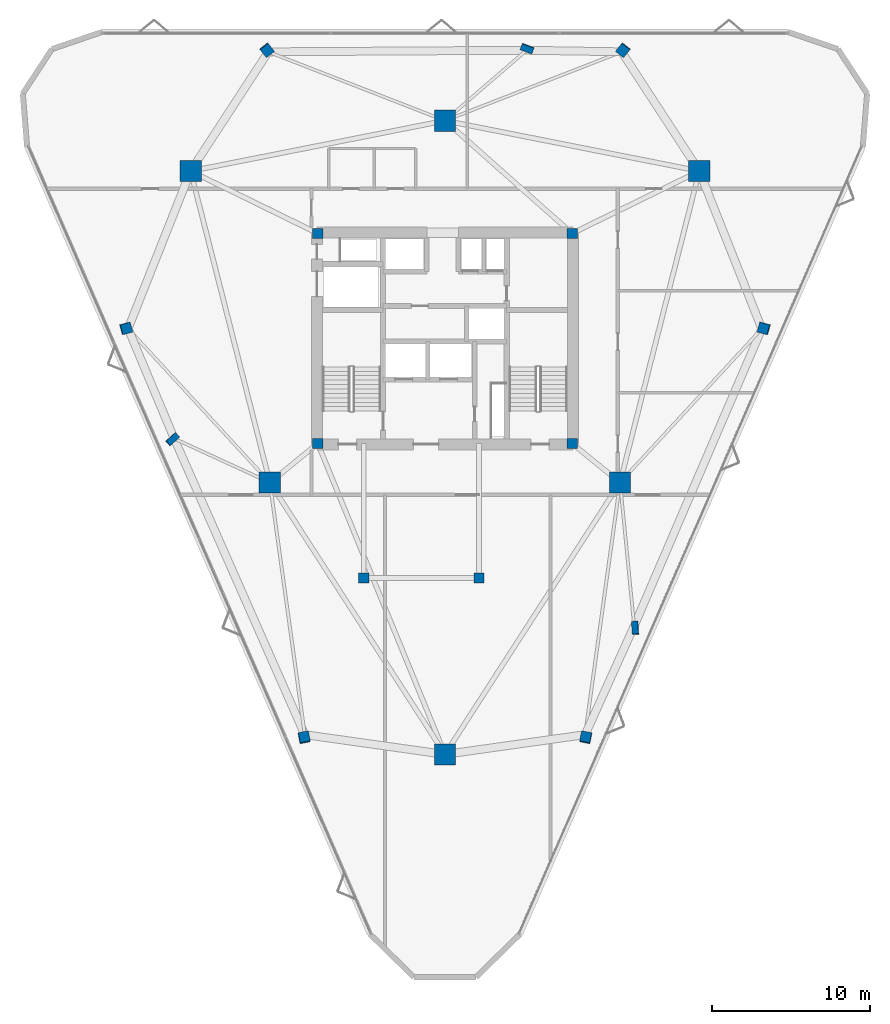
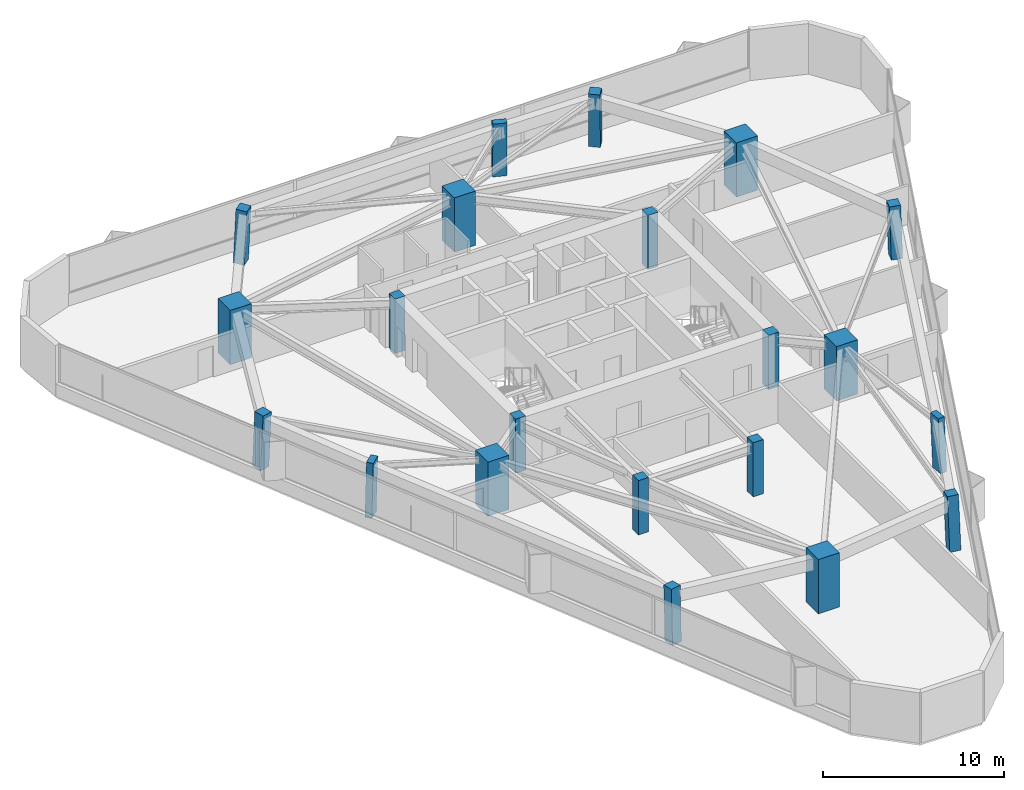
# One storey, part 1 of 12: 21 columns.
"""IFC4 building model written with IfcOpenShell, lengths in metres."""

from ifc_helpers import new_model, si_unit, direction, frame, origin, origin_2d, place, context, subcontext, project, spatial, rectangle, extrude, material, material_profile, profile_set, type_object, element, save


model = new_model("IFC4")

# Units and contexts
model_context = context("Model", 3, precision=1e-05, world=origin(), true_north=direction((0.0, 1.0)))
body_context = subcontext(model_context, "Body", "Model", "MODEL_VIEW")
ifc_project = project(units=[si_unit("LENGTHUNIT", "METRE"), si_unit("AREAUNIT", "SQUARE_METRE"), si_unit("VOLUMEUNIT", "CUBIC_METRE"), si_unit("PLANEANGLEUNIT", "RADIAN"), si_unit("MASSUNIT", "GRAM", prefix="KILO")], contexts=[model_context])

# Site, building, storey
site_placement = place(None, origin())
site = spatial("IfcSite", under=ifc_project, at=site_placement, CompositionType="ELEMENT")
building_placement = place(site_placement, origin())
building = spatial("IfcBuilding", under=site, at=building_placement, Name="Talyreon Biosciences Tower", CompositionType="ELEMENT")
storey_placement = place(building_placement, frame((0.0, 0.0, 183.050048828125)))
storey = spatial("IfcBuildingStorey", under=building, at=storey_placement, Name="L48", CompositionType="ELEMENT", Elevation=183.050048828125)

# Columns
ifc_material_1 = material(Name="Precast concrete C45/55", Category="concrete")
ifc_material_profile_1 = material_profile(ifc_material_1, rectangle(XDim=0.800048828125, YDim=0.39990234375, at=origin_2d()), Name="RC 800x400")
ifc_profile_set_1 = profile_set([ifc_material_profile_1], Name="Precast concrete C45/55")
column_type_1 = type_object("IfcColumnType", Name="FacadePilaster_800x400", PredefinedType="PILASTER", material=ifc_profile_set_1)
column_1_placement = place(storey_placement, frame((78.0498046875, 49.6572265625, 0.0029296875), z_axis=(-0.019611953815, 0.038353752683, 0.999071749637), x_axis=(0.061734998032, -0.997310732249, 0.039498017151)))
element("IfcColumn", 1, at=column_1_placement, inside=storey, type_object=column_type_1, Name="L48 Facade Pilaster PL-SE", PredefinedType="PILASTER", context=body_context, shape_type="SweptSolid", body=[
    extrude(rectangle(XDim=0.800048828125, YDim=0.39990234375, at=origin_2d()), origin(), (0.0, 0.0, 1.0), 3.6474609375),
])
column_2_placement = place(storey_placement, frame((71.20703125, 86.368896484375, 0.0029296875), z_axis=(-0.01238655289, -0.033544124313, 0.999360478022), x_axis=(-0.9380871136, 0.346399433166, 0.0)))
element("IfcColumn", 2, at=column_2_placement, inside=storey, type_object=column_type_1, Name="L48 Facade Pilaster PL-N", PredefinedType="PILASTER", context=body_context, shape_type="SweptSolid", body=[
    extrude(rectangle(XDim=0.800048828125, YDim=0.39990234375, at=origin_2d()), origin(), (0.0, 0.0, 1.0), 3.646484375),
])
column_3_placement = place(storey_placement, frame((48.7431640625, 61.62060546875, 0.0029296875), z_axis=(0.032006454348, 0.010579539303, 0.999431668614), x_axis=(0.744841721129, 0.666524909028, -0.030908835477)))
element("IfcColumn", 3, at=column_3_placement, inside=storey, type_object=column_type_1, Name="L48 Facade Pilaster PL-SW", PredefinedType="PILASTER", context=body_context, shape_type="SweptSolid", body=[
    extrude(rectangle(XDim=0.800048828125, YDim=0.39990234375, at=origin_2d()), origin(), (0.0, 0.0, 1.0), 3.64599609375),
])
ifc_material_2 = material(Name="Concrete C50/60", Category="concrete")
ifc_material_profile_2 = material_profile(ifc_material_2, rectangle(XDim=1.35009765625, YDim=1.35009765625, at=origin_2d()), Name="RC 1350x1350")
ifc_profile_set_2 = profile_set([ifc_material_profile_2], Name="Concrete C50/60")
column_type_2 = type_object("IfcColumnType", Name="MegaColumn_1350", PredefinedType="COLUMN", material=ifc_profile_set_2)
for number, where, z_axis, x_axis, name in (
    (4, (66.0, 41.6669921875, 0.0), (0.0, 0.0, 1.0), (1.0, 0.0, 0.0), "L48 Composite Mega-Column MC1"),
    (5, (82.102294921875, 78.5986328125, 0.0), (0.0, 0.0, 1.0), (1.0, 0.0, 0.0), "L48 Composite Mega-Column MC2"),
    (6, (49.897705078125, 78.5986328125, 0.0), (0.0, 0.0, 1.0), (1.0, 0.0, 0.0), "L48 Composite Mega-Column MC3"),
    (7, (77.086181640625, 58.88037109375, 0.0), (0.0, 0.0, 1.0), (1.0, 0.0, 0.0), "L48 Composite Mega-Column MC4"),
    (8, (66.0, 81.788818359375, 0.0), (0.0, 0.0, 1.0), (1.0, 0.0, 0.0), "L48 Composite Mega-Column MC5"),
    (9, (54.913818359375, 58.88037109375, 0.0), (0.0, 0.0, 1.0), (1.0, 0.0, 0.0), "L48 Composite Mega-Column MC6"),
):
    element("IfcColumn", number, at=place(storey_placement, frame(where, z_axis=z_axis, x_axis=x_axis)), inside=storey, type_object=column_type_2, Name=name, PredefinedType="COLUMN", context=body_context, shape_type="SweptSolid", body=[
        extrude(rectangle(XDim=1.35009765625, YDim=1.35009765625, at=origin_2d()), origin(), (0.0, 0.0, 1.0), 3.64990234375),
    ])
ifc_material_profile_3 = material_profile(ifc_material_2, rectangle(XDim=0.64990234375, YDim=0.64990234375, at=origin_2d()), Name="RC 650x650")
ifc_profile_set_3 = profile_set([ifc_material_profile_3], Name="Concrete C50/60")
column_type_3 = type_object("IfcColumnType", Name="PerimeterColumn_650", PredefinedType="COLUMN", material=ifc_profile_set_3)
for number, where, z_axis, x_axis, name in (
    (10, (57.949951171875, 61.35009765625, 0.0), (0.0, 0.0, 1.0), (1.0, 0.0, 0.0), "L48 Core Column CC1"),
    (11, (74.050048828125, 61.35009765625, 0.0), (0.0, 0.0, 1.0), (1.0, 0.0, 0.0), "L48 Core Column CC2"),
    (12, (74.050048828125, 74.64990234375, 0.0), (0.0, 0.0, 1.0), (1.0, 0.0, 0.0), "L48 Core Column CC3"),
    (13, (57.949951171875, 74.64990234375, 0.0), (0.0, 0.0, 1.0), (1.0, 0.0, 0.0), "L48 Core Column CC4"),
    (14, (60.85009765625, 52.840087890625, 0.0), (0.0, 0.0, 1.0), (1.0, 0.0, 0.0), "L48 Core Column CSW"),
    (15, (68.14990234375, 52.840087890625, 0.0), (0.0, 0.0, 1.0), (1.0, 0.0, 0.0), "L48 Core Column CSE"),
):
    element("IfcColumn", number, at=place(storey_placement, frame(where, z_axis=z_axis, x_axis=x_axis)), inside=storey, type_object=column_type_3, Name=name, PredefinedType="COLUMN", context=body_context, shape_type="SweptSolid", body=[
        extrude(rectangle(XDim=0.64990234375, YDim=0.64990234375, at=origin_2d()), origin(), (0.0, 0.0, 1.0), 3.64990234375),
    ])
column_4_placement = place(storey_placement, frame((74.92041015625, 42.718505859375, 0.0029296875), z_axis=(-0.012308213911, 0.054517360531, 0.99843696109), x_axis=(-0.187676396713, -0.980893181475, 0.05124584523)))
element("IfcColumn", 16, at=column_4_placement, inside=storey, type_object=column_type_3, Name="L48 Tapering Perimeter Column PC-SE1", PredefinedType="COLUMN", context=body_context, shape_type="SweptSolid", body=[
    extrude(rectangle(XDim=0.64990234375, YDim=0.64990234375, at=origin_2d()), origin(), (0.0, 0.0, 1.0), 3.649658203125),
])
column_5_placement = place(storey_placement, frame((86.20263671875, 68.63916015625, 0.0029296875), z_axis=(-0.039229493406, -0.00569028488, 0.999214024874), x_axis=(0.96399263001, -0.263433371642, 0.036346499035)))
element("IfcColumn", 17, at=column_5_placement, inside=storey, type_object=column_type_3, Name="L48 Tapering Perimeter Column PC-SE2", PredefinedType="COLUMN", context=body_context, shape_type="SweptSolid", body=[
    extrude(rectangle(XDim=0.64990234375, YDim=0.64990234375, at=origin_2d()), origin(), (0.0, 0.0, 1.0), 3.64697265625),
])
for number, where, z_axis, x_axis, name in (
    (18, (77.281982421875, 86.268798828125, 0.0029296875), (-0.026841076243, -0.033534611465, 0.999077067328), (-0.780716755404, 0.624885067698, 0.0), "L48 Tapering Perimeter Column PC-N1"),
    (19, (54.718017578125, 86.268798828125, 0.0029296875), (0.026841076243, -0.033534611465, 0.999077067328), (-0.780716755404, -0.624885067698, 0.0), "L48 Tapering Perimeter Column PC-N2"),
):
    element("IfcColumn", number, at=place(storey_placement, frame(where, z_axis=z_axis, x_axis=x_axis)), inside=storey, type_object=column_type_3, Name=name, PredefinedType="COLUMN", context=body_context, shape_type="SweptSolid", body=[
        extrude(rectangle(XDim=0.64990234375, YDim=0.64990234375, at=origin_2d()), origin(), (0.0, 0.0, 1.0), 3.6474609375),
    ])
column_6_placement = place(storey_placement, frame((45.79736328125, 68.63916015625, 0.0029296875), z_axis=(0.039229493406, -0.00569028488, 0.999214024874), x_axis=(0.96399263001, 0.263433371642, -0.036346499035)))
element("IfcColumn", 20, at=column_6_placement, inside=storey, type_object=column_type_3, Name="L48 Tapering Perimeter Column PC-SW1", PredefinedType="COLUMN", context=body_context, shape_type="SweptSolid", body=[
    extrude(rectangle(XDim=0.64990234375, YDim=0.64990234375, at=origin_2d()), origin(), (0.0, 0.0, 1.0), 3.64697265625),
])
column_7_placement = place(storey_placement, frame((57.07958984375, 42.718505859375, 0.0029296875), z_axis=(0.012308213911, 0.054517360531, 0.99843696109), x_axis=(-0.187676396713, 0.980893181475, -0.05124584523)))
element("IfcColumn", 21, at=column_7_placement, inside=storey, type_object=column_type_3, Name="L48 Tapering Perimeter Column PC-SW2", PredefinedType="COLUMN", context=body_context, shape_type="SweptSolid", body=[
    extrude(rectangle(XDim=0.64990234375, YDim=0.64990234375, at=origin_2d()), origin(), (0.0, 0.0, 1.0), 3.649658203125),
])

save(model, "model.ifc")
